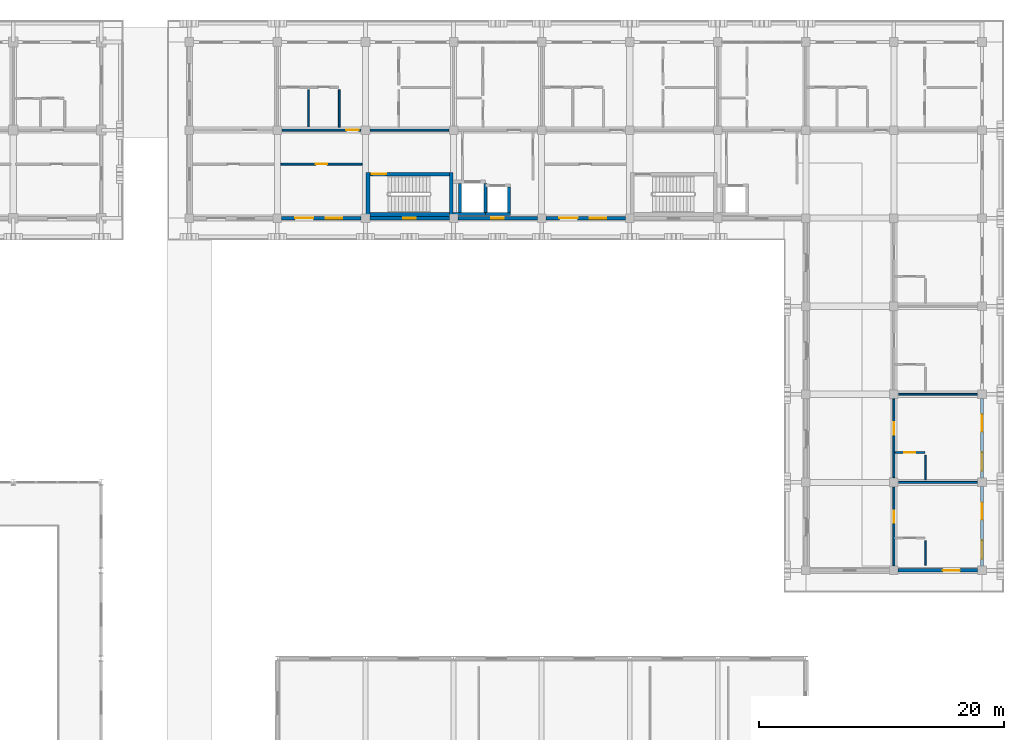
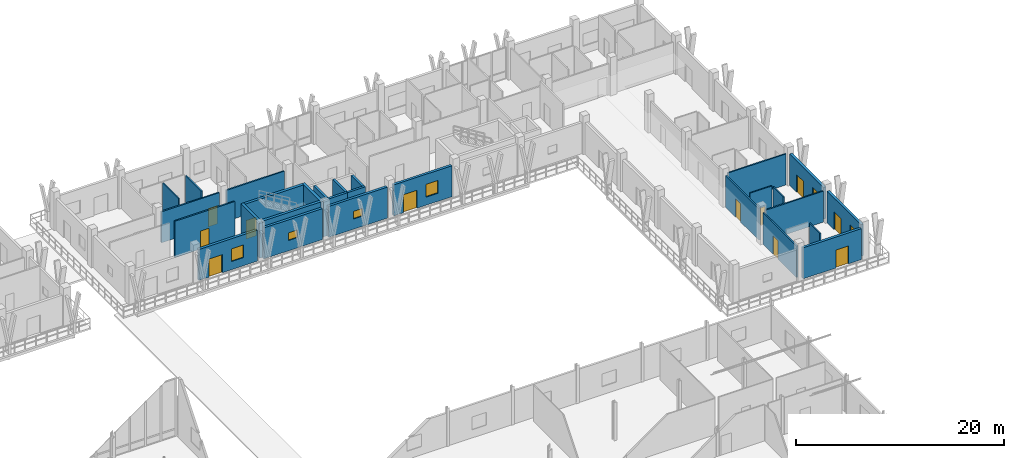
# One storey, part 87 of 110: 28 walls, 11 doors, 6 windows, 17 openings.
"""IFC4 building model written with IfcOpenShell, lengths in metres."""

from ifc_helpers import new_model, si_unit, direction, frame, frame_2d, origin, place, context, subcontext, project, spatial, rectangle, extrude, material, layer, layer_set, type_object, element, fill, save


model = new_model("IFC4")

# Units and contexts
model_context = context("Model", 3, precision=1e-05, world=origin(), true_north=direction((0.0, 1.0)))
body_context = subcontext(model_context, "Body", "Model", "MODEL_VIEW")
ifc_project = project(units=[si_unit("LENGTHUNIT", "METRE"), si_unit("AREAUNIT", "SQUARE_METRE"), si_unit("VOLUMEUNIT", "CUBIC_METRE"), si_unit("PLANEANGLEUNIT", "RADIAN"), si_unit("MASSUNIT", "GRAM", prefix="KILO")], contexts=[model_context])

# Site, building, storey
site_placement = place(None, origin())
site = spatial("IfcSite", under=ifc_project, at=site_placement, CompositionType="ELEMENT")
building_placement = place(site_placement, origin())
building = spatial("IfcBuilding", under=site, at=building_placement, Name="Suanplinth Sawtooth Commons", CompositionType="ELEMENT")
storey_placement = place(building_placement, frame((0.0, 0.0, 4.5)))
storey = spatial("IfcBuildingStorey", under=building, at=storey_placement, Name="L01", CompositionType="ELEMENT", Elevation=4.5)

# Wall
ifc_material_1 = material(Name="Concrete C40/50", Category="concrete")
ifc_layer_1 = layer(ifc_material_1, 0.300048828125, Name="Standard RC stair and lift core wall 300mm")
ifc_layer_set_1 = layer_set([ifc_layer_1], Name="Concrete C40/50")
wall_type_1 = type_object("IfcWallType", Name="W-CR02", PredefinedType="SHEAR", material=ifc_layer_set_1)
wall_1_placement = place(storey_placement, frame((137.14990234375, 108.300048828125, 0.0), z_axis=(0.0, 0.0, 1.0), x_axis=(1.0, 0.0, 0.0)))
element("IfcWall", 1, at=wall_1_placement, inside=storey, type_object=wall_type_1, Name="W-L01-C-B1-STS", PredefinedType="SHEAR", context=body_context, shape_type="SweptSolid", body=[
    extrude(rectangle(XDim=6.5, YDim=0.300048828125, at=frame_2d((3.25, 0.0))), origin(), (0.0, 0.0, 1.0), 4.25),
])

# Wall, opening, door
wall_2_placement = place(storey_placement, frame((137.14990234375, 111.60009765625, 0.0), z_axis=(0.0, 0.0, 1.0), x_axis=(1.0, 0.0, 0.0)))
wall_2 = element("IfcWall", 2, at=wall_2_placement, inside=storey, type_object=wall_type_1, Name="W-L01-C-B1-STN", PredefinedType="SHEAR", context=body_context, shape_type="SweptSolid", body=[
    extrude(rectangle(XDim=6.5, YDim=0.300048828125, at=frame_2d((3.25, 0.0))), origin(), (0.0, 0.0, 1.0), 4.25),
])
opening_1_placement = place(wall_2_placement, frame((0.179931640625, 0.0, 0.0)))
opening_1 = element("IfcOpeningElement", 3, at=opening_1_placement, cuts=wall_2, Name="Opening FD0164", PredefinedType="OPENING", context=body_context, shape_type="SweptSolid", body=[
    extrude(rectangle(XDim=1.14990234375, YDim=2.199951171875, at=frame_2d((0.574951171875, 1.10009765625))), frame((0.0, 0.1650390625, 0.0), z_axis=(0.0, -1.0, 0.0), x_axis=(1.0, 0.0, 0.0)), (0.0, 0.0, 1.0), 0.329833984375),
])
ifc_material_2 = material(Name="Teak hardwood fire-rated door assembly", Category="wood")
door_type_1 = type_object("IfcDoorType", Name="FD-01", OperationType="NOTDEFINED", PredefinedType="DOOR", material=ifc_material_2)
door_1_placement = place(opening_1_placement, frame((1.14990234375, 0.0, 0.0), z_axis=(0.0, 0.0, 1.0), x_axis=(-1.0, 0.0, 0.0)))
door_1 = element("IfcDoor", 4, at=door_1_placement, inside=storey, type_object=door_type_1, Name="Exit Stair Fire Door FD0164", OperationType="SINGLE_SWING_RIGHT", OverallHeight=2.199951171875, OverallWidth=1.14990234375, PredefinedType="DOOR", context=body_context, shape_type="SweptSolid", body=[
    extrude(rectangle(XDim=1.14990234375, YDim=2.199951171875, at=frame_2d((0.574951171875, 1.10009765625))), frame((0.0, 0.02490234375, 0.0), z_axis=(0.0, -1.0, 0.0), x_axis=(1.0, 0.0, 0.0)), (0.0, 0.0, 1.0), 0.050048828125),
])
fill(opening_1, door_1)

# Walls
for number, where, z_axis, x_axis, name in (
    (5, (137.0, 108.14990234375, 0.0), (0.0, 0.0, 1.0), (0.0, 1.0, 0.0), "W-L01-C-B1-STW"),
    (6, (143.800048828125, 108.14990234375, 0.0), (0.0, 0.0, 1.0), (0.0, 1.0, 0.0), "W-L01-C-B1-STE"),
):
    element("IfcWall", number, at=place(storey_placement, frame(where, z_axis=z_axis, x_axis=x_axis)), inside=storey, type_object=wall_type_1, Name=name, PredefinedType="SHEAR", context=body_context, shape_type="SweptSolid", body=[
        extrude(rectangle(XDim=3.60009765625, YDim=0.300048828125, at=frame_2d((1.800048828125, 0.0))), origin(), (0.0, 0.0, 1.0), 4.25),
    ])

# Wall, openings, door, window
ifc_material_3 = material(Name="Precast concrete C40/50", Category="concrete")
ifc_layer_2 = layer(ifc_material_3, 0.280029296875, Name="Insulated precast architectural facade wall 280mm")
ifc_layer_set_2 = layer_set([ifc_layer_2], Name="Precast concrete C40/50")
wall_type_2 = type_object("IfcWallType", Name="W-EX01", PredefinedType="ELEMENTEDWALL", material=ifc_layer_set_2)
wall_3_placement = place(storey_placement, frame((129.949951171875, 108.0, 0.0), z_axis=(0.0, 0.0, 1.0), x_axis=(1.0, 0.0, 0.0)))
wall_3 = element("IfcWall", 7, at=wall_3_placement, inside=storey, type_object=wall_type_2, Name="Facade Wall W-L01-B-S-18-15", PredefinedType="ELEMENTEDWALL", context=body_context, shape_type="SweptSolid", body=[
    extrude(rectangle(XDim=6.5, YDim=0.280029296875, at=frame_2d((3.25, 0.0))), origin(), (0.0, 0.0, 1.0), 3.635009765625),
])
opening_2_placement = place(wall_3_placement, frame((1.10009765625, 0.0, 0.0)))
opening_2 = element("IfcOpeningElement", 8, at=opening_2_placement, cuts=wall_3, Name="Opening ED0068", PredefinedType="OPENING", context=body_context, shape_type="SweptSolid", body=[
    extrude(rectangle(XDim=1.5, YDim=2.1201171875, at=frame_2d((0.75, 1.06005859375))), frame((0.0, 0.15478515625, 0.0), z_axis=(0.0, -1.0, 0.0), x_axis=(1.0, 0.0, 0.0)), (0.0, 0.0, 1.0), 0.309814453125),
])
opening_3_placement = place(wall_3_placement, frame((3.60009765625, 0.0, 0.949951171875)))
opening_3 = element("IfcOpeningElement", 9, at=opening_3_placement, cuts=wall_3, Name="Opening W0190", PredefinedType="OPENING", context=body_context, shape_type="SweptSolid", body=[
    extrude(rectangle(XDim=1.35009765625, YDim=1.5, at=frame_2d((0.675048828125, 0.75))), frame((0.0, 0.15478515625, 0.0), z_axis=(0.0, -1.0, 0.0), x_axis=(1.0, 0.0, 0.0)), (0.0, 0.0, 1.0), 0.309814453125),
])
ifc_material_4 = material(Name="Anodized aluminium and low-E glass", Category="aluminium")
door_type_2 = type_object("IfcDoorType", Name="SD-03", OperationType="SLIDING_TO_LEFT", PredefinedType="DOOR", material=ifc_material_4)
door_2_placement = place(opening_2_placement, frame((1.5, 0.0, 0.0), z_axis=(0.0, 0.0, 1.0), x_axis=(-1.0, 0.0, 0.0)))
door_2 = element("IfcDoor", 10, at=door_2_placement, inside=storey, type_object=door_type_2, Name="Courtyard Balcony Door L01-B-18", OperationType="SLIDING_TO_LEFT", OverallHeight=2.1201171875, OverallWidth=1.5, PredefinedType="DOOR", context=body_context, shape_type="SweptSolid", body=[
    extrude(rectangle(XDim=1.5, YDim=2.1201171875, at=frame_2d((0.75, 1.06005859375))), frame((0.0, 0.02490234375, 0.0), z_axis=(0.0, -1.0, 0.0), x_axis=(1.0, 0.0, 0.0)), (0.0, 0.0, 1.0), 0.050048828125),
])
fill(opening_2, door_2)
ifc_material_5 = material(Name="Thermally broken aluminium and low-E double glazing", Category="aluminium")
window_type_1 = type_object("IfcWindowType", Name="WN-14", PartitioningType="SINGLE_PANEL", PredefinedType="WINDOW", material=ifc_material_5)
window_1_placement = place(opening_3_placement, origin())
window_1 = element("IfcWindow", 11, at=window_1_placement, inside=storey, type_object=window_type_1, Name="Courtyard Window L01-B-18", OverallHeight=1.5, OverallWidth=1.35009765625, PartitioningType="SINGLE_PANEL", PredefinedType="WINDOW", context=body_context, shape_type="SweptSolid", body=[
    extrude(rectangle(XDim=1.35009765625, YDim=1.5, at=frame_2d((0.675048828125, 0.75))), frame((0.0, 0.030029296875, 0.0), z_axis=(0.0, -1.0, 0.0), x_axis=(1.0, 0.0, 0.0)), (0.0, 0.0, 1.0), 0.06005859375),
])
fill(opening_3, window_1)

# Wall, opening, window
wall_4_placement = place(storey_placement, frame((137.14990234375, 108.0, 0.0), z_axis=(0.0, 0.0, 1.0), x_axis=(1.0, 0.0, 0.0)))
wall_4 = element("IfcWall", 12, at=wall_4_placement, inside=storey, type_object=wall_type_2, Name="Facade Wall W-L01-B-S-19-15", PredefinedType="ELEMENTEDWALL", context=body_context, shape_type="SweptSolid", body=[
    extrude(rectangle(XDim=6.5, YDim=0.280029296875, at=frame_2d((3.25, 0.0))), origin(), (0.0, 0.0, 1.0), 3.635009765625),
])
opening_4_placement = place(wall_4_placement, frame((2.75, 0.0, 1.199951171875)))
opening_4 = element("IfcOpeningElement", 13, at=opening_4_placement, cuts=wall_4, Name="Opening W0192", PredefinedType="OPENING", context=body_context, shape_type="SweptSolid", body=[
    extrude(rectangle(XDim=1.0, YDim=0.89990234375, at=frame_2d((0.5, 0.449951171875))), frame((0.0, 0.15478515625, 0.0), z_axis=(0.0, -1.0, 0.0), x_axis=(1.0, 0.0, 0.0)), (0.0, 0.0, 1.0), 0.309814453125),
])
window_type_2 = type_object("IfcWindowType", Name="WN-12", PartitioningType="SINGLE_PANEL", PredefinedType="WINDOW", material=ifc_material_5)
window_2_placement = place(opening_4_placement, origin())
window_2 = element("IfcWindow", 14, at=window_2_placement, inside=storey, type_object=window_type_2, Name="Core Daylight Window L01-B-19-15", OverallHeight=0.89990234375, OverallWidth=1.0, PartitioningType="SINGLE_PANEL", PredefinedType="WINDOW", context=body_context, shape_type="SweptSolid", body=[
    extrude(rectangle(XDim=1.0, YDim=0.89990234375, at=frame_2d((0.5, 0.449951171875))), frame((0.0, 0.030029296875, 0.0), z_axis=(0.0, -1.0, 0.0), x_axis=(1.0, 0.0, 0.0)), (0.0, 0.0, 1.0), 0.06005859375),
])
fill(opening_4, window_2)

wall_5_placement = place(storey_placement, frame((144.35009765625, 108.0, 0.0), z_axis=(0.0, 0.0, 1.0), x_axis=(1.0, 0.0, 0.0)))
wall_5 = element("IfcWall", 15, at=wall_5_placement, inside=storey, type_object=wall_type_2, Name="Facade Wall W-L01-B-S-20-15", PredefinedType="ELEMENTEDWALL", context=body_context, shape_type="SweptSolid", body=[
    extrude(rectangle(XDim=6.5, YDim=0.280029296875, at=frame_2d((3.25, 0.0))), origin(), (0.0, 0.0, 1.0), 3.635009765625),
])
opening_5_placement = place(wall_5_placement, frame((2.75, 0.0, 1.199951171875)))
opening_5 = element("IfcOpeningElement", 16, at=opening_5_placement, cuts=wall_5, Name="Opening W0194", PredefinedType="OPENING", context=body_context, shape_type="SweptSolid", body=[
    extrude(rectangle(XDim=1.0, YDim=0.89990234375, at=frame_2d((0.5, 0.449951171875))), frame((0.0, 0.15478515625, 0.0), z_axis=(0.0, -1.0, 0.0), x_axis=(1.0, 0.0, 0.0)), (0.0, 0.0, 1.0), 0.309814453125),
])
window_3_placement = place(opening_5_placement, origin())
window_3 = element("IfcWindow", 17, at=window_3_placement, inside=storey, type_object=window_type_2, Name="Core Daylight Window L01-B-20-15", OverallHeight=0.89990234375, OverallWidth=1.0, PartitioningType="SINGLE_PANEL", PredefinedType="WINDOW", context=body_context, shape_type="SweptSolid", body=[
    extrude(rectangle(XDim=1.0, YDim=0.89990234375, at=frame_2d((0.5, 0.449951171875))), frame((0.0, 0.030029296875, 0.0), z_axis=(0.0, -1.0, 0.0), x_axis=(1.0, 0.0, 0.0)), (0.0, 0.0, 1.0), 0.06005859375),
])
fill(opening_5, window_3)

# Wall, openings, door, window
wall_6_placement = place(storey_placement, frame((151.550048828125, 108.0, 0.0), z_axis=(0.0, 0.0, 1.0), x_axis=(1.0, 0.0, 0.0)))
wall_6 = element("IfcWall", 18, at=wall_6_placement, inside=storey, type_object=wall_type_2, Name="Facade Wall W-L01-B-S-21-15", PredefinedType="ELEMENTEDWALL", context=body_context, shape_type="SweptSolid", body=[
    extrude(rectangle(XDim=6.5, YDim=0.280029296875, at=frame_2d((3.25, 0.0))), origin(), (0.0, 0.0, 1.0), 3.635009765625),
])
opening_6_placement = place(wall_6_placement, frame((1.10009765625, 0.0, 0.0)))
opening_6 = element("IfcOpeningElement", 19, at=opening_6_placement, cuts=wall_6, Name="Opening ED0071", PredefinedType="OPENING", context=body_context, shape_type="SweptSolid", body=[
    extrude(rectangle(XDim=1.5, YDim=2.1201171875, at=frame_2d((0.75, 1.06005859375))), frame((0.0, 0.15478515625, 0.0), z_axis=(0.0, -1.0, 0.0), x_axis=(1.0, 0.0, 0.0)), (0.0, 0.0, 1.0), 0.309814453125),
])
opening_7_placement = place(wall_6_placement, frame((3.60009765625, 0.0, 0.949951171875)))
opening_7 = element("IfcOpeningElement", 20, at=opening_7_placement, cuts=wall_6, Name="Opening W0195", PredefinedType="OPENING", context=body_context, shape_type="SweptSolid", body=[
    extrude(rectangle(XDim=1.35009765625, YDim=1.5, at=frame_2d((0.675048828125, 0.75))), frame((0.0, 0.15478515625, 0.0), z_axis=(0.0, -1.0, 0.0), x_axis=(1.0, 0.0, 0.0)), (0.0, 0.0, 1.0), 0.309814453125),
])
door_3_placement = place(opening_6_placement, frame((1.5, 0.0, 0.0), z_axis=(0.0, 0.0, 1.0), x_axis=(-1.0, 0.0, 0.0)))
door_3 = element("IfcDoor", 21, at=door_3_placement, inside=storey, type_object=door_type_2, Name="Courtyard Balcony Door L01-B-21", OperationType="SLIDING_TO_LEFT", OverallHeight=2.1201171875, OverallWidth=1.5, PredefinedType="DOOR", context=body_context, shape_type="SweptSolid", body=[
    extrude(rectangle(XDim=1.5, YDim=2.1201171875, at=frame_2d((0.75, 1.06005859375))), frame((0.0, 0.02490234375, 0.0), z_axis=(0.0, -1.0, 0.0), x_axis=(1.0, 0.0, 0.0)), (0.0, 0.0, 1.0), 0.050048828125),
])
fill(opening_6, door_3)
window_4_placement = place(opening_7_placement, origin())
window_4 = element("IfcWindow", 22, at=window_4_placement, inside=storey, type_object=window_type_1, Name="Courtyard Window L01-B-21", OverallHeight=1.5, OverallWidth=1.35009765625, PartitioningType="SINGLE_PANEL", PredefinedType="WINDOW", context=body_context, shape_type="SweptSolid", body=[
    extrude(rectangle(XDim=1.35009765625, YDim=1.5, at=frame_2d((0.675048828125, 0.75))), frame((0.0, 0.030029296875, 0.0), z_axis=(0.0, -1.0, 0.0), x_axis=(1.0, 0.0, 0.0)), (0.0, 0.0, 1.0), 0.06005859375),
])
fill(opening_7, window_4)

# Wall, opening, door
wall_7_placement = place(storey_placement, frame((180.35009765625, 79.199951171875, 0.0), z_axis=(0.0, 0.0, 1.0), x_axis=(1.0, 0.0, 0.0)))
wall_7 = element("IfcWall", 23, at=wall_7_placement, inside=storey, type_object=wall_type_2, Name="Facade Wall W-L01-B-S-25-11", PredefinedType="ELEMENTEDWALL", context=body_context, shape_type="SweptSolid", body=[
    extrude(rectangle(XDim=6.5, YDim=0.280029296875, at=frame_2d((3.25, 0.0))), origin(), (0.0, 0.0, 1.0), 3.635009765625),
])
opening_8_placement = place(wall_7_placement, frame((3.64990234375, 0.0, 0.0)))
opening_8 = element("IfcOpeningElement", 24, at=opening_8_placement, cuts=wall_7, Name="Opening ED0079", PredefinedType="OPENING", context=body_context, shape_type="SweptSolid", body=[
    extrude(rectangle(XDim=1.39990234375, YDim=2.10009765625, at=frame_2d((0.699951171875, 1.050048828125))), frame((0.0, 0.15478515625, 0.0), z_axis=(0.0, -1.0, 0.0), x_axis=(1.0, 0.0, 0.0)), (0.0, 0.0, 1.0), 0.309814453125),
])
door_type_3 = type_object("IfcDoorType", Name="SD-07", OperationType="SLIDING_TO_RIGHT", PredefinedType="DOOR", material=ifc_material_4)
door_4_placement = place(opening_8_placement, frame((1.39990234375, 0.0, 0.0), z_axis=(0.0, 0.0, 1.0), x_axis=(-1.0, 0.0, 0.0)))
door_4 = element("IfcDoor", 25, at=door_4_placement, inside=storey, type_object=door_type_3, Name="End Balcony Sliding Door L01-B-S-25-11", OperationType="SLIDING_TO_RIGHT", OverallHeight=2.10009765625, OverallWidth=1.39990234375, PredefinedType="DOOR", context=body_context, shape_type="SweptSolid", body=[
    extrude(rectangle(XDim=1.39990234375, YDim=2.10009765625, at=frame_2d((0.699951171875, 1.050048828125))), frame((0.0, 0.02490234375, 0.0), z_axis=(0.0, -1.0, 0.0), x_axis=(1.0, 0.0, 0.0)), (0.0, 0.0, 1.0), 0.050048828125),
])
fill(opening_8, door_4)

# Wall, openings, door, window
wall_8_placement = place(storey_placement, frame((187.199951171875, 79.550048828125, 0.0), z_axis=(0.0, 0.0, 1.0), x_axis=(0.0, 1.0, 0.0)))
wall_8 = element("IfcWall", 26, at=wall_8_placement, inside=storey, type_object=wall_type_2, Name="Facade Wall W-L01-B-E-25-11", PredefinedType="ELEMENTEDWALL", context=body_context, shape_type="SweptSolid", body=[
    extrude(rectangle(XDim=6.5, YDim=0.280029296875, at=frame_2d((3.25, 0.0))), origin(), (0.0, 0.0, 1.0), 3.715087890625),
])
opening_9_placement = place(wall_8_placement, frame((3.800048828125, 0.0, 0.0)))
opening_9 = element("IfcOpeningElement", 27, at=opening_9_placement, cuts=wall_8, Name="Opening ED0080", PredefinedType="OPENING", context=body_context, shape_type="SweptSolid", body=[
    extrude(rectangle(XDim=1.39990234375, YDim=2.10009765625, at=frame_2d((0.699951171875, 1.050048828125))), frame((0.0, 0.15478515625, 0.0), z_axis=(0.0, -1.0, 0.0), x_axis=(1.0, 0.0, 0.0)), (0.0, 0.0, 1.0), 0.309814453125),
])
opening_10_placement = place(wall_8_placement, frame((0.60009765625, 0.0, 0.949951171875)))
opening_10 = element("IfcOpeningElement", 28, at=opening_10_placement, cuts=wall_8, Name="Opening W0202", PredefinedType="OPENING", context=body_context, shape_type="SweptSolid", body=[
    extrude(rectangle(XDim=1.5, YDim=1.5, at=frame_2d((0.75, 0.75))), frame((0.0, 0.15478515625, 0.0), z_axis=(0.0, -1.0, 0.0), x_axis=(1.0, 0.0, 0.0)), (0.0, 0.0, 1.0), 0.309814453125),
])
door_5_placement = place(opening_9_placement, frame((1.39990234375, 0.0, 0.0), z_axis=(0.0, 0.0, 1.0), x_axis=(-1.0, 0.0, 0.0)))
door_5 = element("IfcDoor", 29, at=door_5_placement, inside=storey, type_object=door_type_3, Name="Wing Balcony Sliding Door L01-B-11", OperationType="SLIDING_TO_RIGHT", OverallHeight=2.10009765625, OverallWidth=1.39990234375, PredefinedType="DOOR", context=body_context, shape_type="SweptSolid", body=[
    extrude(rectangle(XDim=1.39990234375, YDim=2.10009765625, at=frame_2d((0.699951171875, 1.050048828125))), frame((0.0, 0.02490234375, 0.0), z_axis=(0.0, -1.0, 0.0), x_axis=(1.0, 0.0, 0.0)), (0.0, 0.0, 1.0), 0.050048828125),
])
fill(opening_9, door_5)
window_type_3 = type_object("IfcWindowType", Name="WN-02", PartitioningType="DOUBLE_PANEL_VERTICAL", PredefinedType="WINDOW", material=ifc_material_5)
window_5_placement = place(opening_10_placement, origin())
window_5 = element("IfcWindow", 30, at=window_5_placement, inside=storey, type_object=window_type_3, Name="Wing Window L01-B-11", OverallHeight=1.5, OverallWidth=1.5, PartitioningType="DOUBLE_PANEL_VERTICAL", PredefinedType="WINDOW", context=body_context, shape_type="SweptSolid", body=[
    extrude(rectangle(XDim=1.5, YDim=1.5, at=frame_2d((0.75, 0.75))), frame((0.0, 0.030029296875, 0.0), z_axis=(0.0, -1.0, 0.0), x_axis=(1.0, 0.0, 0.0)), (0.0, 0.0, 1.0), 0.06005859375),
])
fill(opening_10, window_5)

wall_9_placement = place(storey_placement, frame((187.199951171875, 86.75, 0.0), z_axis=(0.0, 0.0, 1.0), x_axis=(0.0, 1.0, 0.0)))
wall_9 = element("IfcWall", 31, at=wall_9_placement, inside=storey, type_object=wall_type_2, Name="Facade Wall W-L01-B-E-25-12", PredefinedType="ELEMENTEDWALL", context=body_context, shape_type="SweptSolid", body=[
    extrude(rectangle(XDim=6.5, YDim=0.280029296875, at=frame_2d((3.25, 0.0))), origin(), (0.0, 0.0, 1.0), 3.715087890625),
])
opening_11_placement = place(wall_9_placement, frame((3.800048828125, 0.0, 0.0)))
opening_11 = element("IfcOpeningElement", 32, at=opening_11_placement, cuts=wall_9, Name="Opening ED0081", PredefinedType="OPENING", context=body_context, shape_type="SweptSolid", body=[
    extrude(rectangle(XDim=1.39990234375, YDim=2.10009765625, at=frame_2d((0.699951171875, 1.050048828125))), frame((0.0, 0.15478515625, 0.0), z_axis=(0.0, -1.0, 0.0), x_axis=(1.0, 0.0, 0.0)), (0.0, 0.0, 1.0), 0.309814453125),
])
opening_12_placement = place(wall_9_placement, frame((0.60009765625, 0.0, 0.949951171875)))
opening_12 = element("IfcOpeningElement", 33, at=opening_12_placement, cuts=wall_9, Name="Opening W0203", PredefinedType="OPENING", context=body_context, shape_type="SweptSolid", body=[
    extrude(rectangle(XDim=1.5, YDim=1.5, at=frame_2d((0.75, 0.75))), frame((0.0, 0.15478515625, 0.0), z_axis=(0.0, -1.0, 0.0), x_axis=(1.0, 0.0, 0.0)), (0.0, 0.0, 1.0), 0.309814453125),
])
door_6_placement = place(opening_11_placement, frame((1.39990234375, 0.0, 0.0), z_axis=(0.0, 0.0, 1.0), x_axis=(-1.0, 0.0, 0.0)))
door_6 = element("IfcDoor", 34, at=door_6_placement, inside=storey, type_object=door_type_3, Name="Wing Balcony Sliding Door L01-B-12", OperationType="SLIDING_TO_RIGHT", OverallHeight=2.10009765625, OverallWidth=1.39990234375, PredefinedType="DOOR", context=body_context, shape_type="SweptSolid", body=[
    extrude(rectangle(XDim=1.39990234375, YDim=2.10009765625, at=frame_2d((0.699951171875, 1.050048828125))), frame((0.0, 0.02490234375, 0.0), z_axis=(0.0, -1.0, 0.0), x_axis=(1.0, 0.0, 0.0)), (0.0, 0.0, 1.0), 0.050048828125),
])
fill(opening_11, door_6)
window_6_placement = place(opening_12_placement, origin())
window_6 = element("IfcWindow", 35, at=window_6_placement, inside=storey, type_object=window_type_3, Name="Wing Window L01-B-12", OverallHeight=1.5, OverallWidth=1.5, PartitioningType="DOUBLE_PANEL_VERTICAL", PredefinedType="WINDOW", context=body_context, shape_type="SweptSolid", body=[
    extrude(rectangle(XDim=1.5, YDim=1.5, at=frame_2d((0.75, 0.75))), frame((0.0, 0.030029296875, 0.0), z_axis=(0.0, -1.0, 0.0), x_axis=(1.0, 0.0, 0.0)), (0.0, 0.0, 1.0), 0.06005859375),
])
fill(opening_12, window_6)

# Wall, opening, door
ifc_layer_3 = layer(ifc_material_3, 0.159912109375, Name="Fire-rated corridor and lobby wall 160mm")
ifc_layer_set_3 = layer_set([ifc_layer_3], Name="Precast concrete C40/50")
wall_type_3 = type_object("IfcWallType", Name="W-FW01", PredefinedType="PARTITIONING", material=ifc_layer_set_3)
wall_10_placement = place(storey_placement, frame((129.97998046875, 115.199951171875, 0.0), z_axis=(0.0, 0.0, 1.0), x_axis=(1.0, 0.0, 0.0)))
wall_10 = element("IfcWall", 36, at=wall_10_placement, inside=storey, type_object=wall_type_3, Name="W-B-L01-U02-COR-S1", PredefinedType="PARTITIONING", context=body_context, shape_type="SweptSolid", body=[
    extrude(rectangle(XDim=6.43994140625, YDim=0.159912109375, at=frame_2d((3.219970703125, 0.0))), origin(), (0.0, 0.0, 1.0), 3.635009765625),
])
opening_13_placement = place(wall_10_placement, frame((5.25, 0.0, 0.0)))
opening_13 = element("IfcOpeningElement", 37, at=opening_13_placement, cuts=wall_10, Name="Opening FD0580", PredefinedType="OPENING", context=body_context, shape_type="SweptSolid", body=[
    extrude(rectangle(XDim=1.0, YDim=2.14990234375, at=frame_2d((0.5, 1.074951171875))), frame((0.0, 0.0947265625, 0.0), z_axis=(0.0, -1.0, 0.0), x_axis=(1.0, 0.0, 0.0)), (0.0, 0.0, 1.0), 0.189697265625),
])
door_type_4 = type_object("IfcDoorType", Name="FD-03", OperationType="NOTDEFINED", PredefinedType="DOOR", material=ifc_material_2)
door_7_placement = place(opening_13_placement, origin())
door_7 = element("IfcDoor", 38, at=door_7_placement, inside=storey, type_object=door_type_4, Name="Unit Entrance Door FD0580", OperationType="SINGLE_SWING_RIGHT", OverallHeight=2.14990234375, OverallWidth=1.0, PredefinedType="DOOR", context=body_context, shape_type="SweptSolid", body=[
    extrude(rectangle(XDim=1.0, YDim=2.14990234375, at=frame_2d((0.5, 1.074951171875))), frame((0.0, 0.02490234375, 0.0), z_axis=(0.0, -1.0, 0.0), x_axis=(1.0, 0.0, 0.0)), (0.0, 0.0, 1.0), 0.050048828125),
])
fill(opening_13, door_7)

# Wall
wall_11_placement = place(storey_placement, frame((137.179931640625, 115.199951171875, 0.0), z_axis=(0.0, 0.0, 1.0), x_axis=(1.0, 0.0, 0.0)))
element("IfcWall", 39, at=wall_11_placement, inside=storey, type_object=wall_type_3, Name="W-B-L01-U02-COR-S2", PredefinedType="PARTITIONING", context=body_context, shape_type="SweptSolid", body=[
    extrude(rectangle(XDim=6.440185546875, YDim=0.159912109375, at=frame_2d((3.22021484375, 0.0))), origin(), (0.0, 0.0, 1.0), 3.635009765625),
])

# Wall, opening, door
wall_12_placement = place(storey_placement, frame((129.8798828125, 112.419921875, 0.0), z_axis=(0.0, 0.0, 1.0), x_axis=(1.0, 0.0, 0.0)))
wall_12 = element("IfcWall", 40, at=wall_12_placement, inside=storey, type_object=wall_type_3, Name="W-B-L01-COURTROOM-32-COR", PredefinedType="PARTITIONING", context=body_context, shape_type="SweptSolid", body=[
    extrude(rectangle(XDim=6.64013671875, YDim=0.159912109375, at=frame_2d((3.320068359375, 0.0))), origin(), (0.0, 0.0, 1.0), 4.25),
])
opening_14_placement = place(wall_12_placement, frame((2.85009765625, 0.0, 0.0)))
opening_14 = element("IfcOpeningElement", 41, at=opening_14_placement, cuts=wall_12, Name="Opening D0602", PredefinedType="OPENING", context=body_context, shape_type="SweptSolid", body=[
    extrude(rectangle(XDim=0.93994140625, YDim=2.1201171875, at=frame_2d((0.469970703125, 1.06005859375))), frame((0.0, 0.0947265625, 0.0), z_axis=(0.0, -1.0, 0.0), x_axis=(1.0, 0.0, 0.0)), (0.0, 0.0, 1.0), 0.189697265625),
])
ifc_material_6 = material(Name="Teak hardwood", Category="wood")
door_type_5 = type_object("IfcDoorType", Name="D-15", OperationType="NOTDEFINED", PredefinedType="DOOR", material=ifc_material_6)
door_8_placement = place(opening_14_placement, frame((0.93994140625, 0.0, 0.0), z_axis=(0.0, 0.0, 1.0), x_axis=(-1.0, 0.0, 0.0)))
door_8 = element("IfcDoor", 42, at=door_8_placement, inside=storey, type_object=door_type_5, Name="Study Studio Door D0602", OperationType="SINGLE_SWING_RIGHT", OverallHeight=2.1201171875, OverallWidth=0.93994140625, PredefinedType="DOOR", context=body_context, shape_type="SweptSolid", body=[
    extrude(rectangle(XDim=0.93994140625, YDim=2.1201171875, at=frame_2d((0.469970703125, 1.06005859375))), frame((0.0, 0.02490234375, 0.0), z_axis=(0.0, -1.0, 0.0), x_axis=(1.0, 0.0, 0.0)), (0.0, 0.0, 1.0), 0.050048828125),
])
fill(opening_14, door_8)

wall_13_placement = place(storey_placement, frame((180.0, 79.580078125, 0.0), z_axis=(0.0, 0.0, 1.0), x_axis=(0.0, 1.0, 0.0)))
wall_13 = element("IfcWall", 43, at=wall_13_placement, inside=storey, type_object=wall_type_3, Name="W-B-L01-L01-COR", PredefinedType="PARTITIONING", context=body_context, shape_type="SweptSolid", body=[
    extrude(rectangle(XDim=6.43994140625, YDim=0.159912109375, at=frame_2d((3.219970703125, 0.0))), origin(), (0.0, 0.0, 1.0), 3.68505859375),
])
opening_15_placement = place(wall_13_placement, frame((3.52001953125, 0.0, 0.0)))
opening_15 = element("IfcOpeningElement", 44, at=opening_15_placement, cuts=wall_13, Name="Opening FD0604", PredefinedType="OPENING", context=body_context, shape_type="SweptSolid", body=[
    extrude(rectangle(XDim=1.0, YDim=2.14990234375, at=frame_2d((0.5, 1.074951171875))), frame((0.0, 0.0947265625, 0.0), z_axis=(0.0, -1.0, 0.0), x_axis=(1.0, 0.0, 0.0)), (0.0, 0.0, 1.0), 0.189697265625),
])
door_9_placement = place(opening_15_placement, frame((1.0, 0.0, 0.0), z_axis=(0.0, 0.0, 1.0), x_axis=(-1.0, 0.0, 0.0)))
door_9 = element("IfcDoor", 45, at=door_9_placement, inside=storey, type_object=door_type_4, Name="Wing Unit Entrance Door FD0604", OperationType="SINGLE_SWING_RIGHT", OverallHeight=2.14990234375, OverallWidth=1.0, PredefinedType="DOOR", context=body_context, shape_type="SweptSolid", body=[
    extrude(rectangle(XDim=1.0, YDim=2.14990234375, at=frame_2d((0.5, 1.074951171875))), frame((0.0, 0.02490234375, 0.0), z_axis=(0.0, -1.0, 0.0), x_axis=(1.0, 0.0, 0.0)), (0.0, 0.0, 1.0), 0.050048828125),
])
fill(opening_15, door_9)

wall_14_placement = place(storey_placement, frame((180.0, 86.780029296875, 0.0), z_axis=(0.0, 0.0, 1.0), x_axis=(0.0, 1.0, 0.0)))
wall_14 = element("IfcWall", 46, at=wall_14_placement, inside=storey, type_object=wall_type_3, Name="W-B-L01-L02-COR", PredefinedType="PARTITIONING", context=body_context, shape_type="SweptSolid", body=[
    extrude(rectangle(XDim=6.43994140625, YDim=0.159912109375, at=frame_2d((3.219970703125, 0.0))), origin(), (0.0, 0.0, 1.0), 3.68505859375),
])
opening_16_placement = place(wall_14_placement, frame((3.52001953125, 0.0, 0.0)))
opening_16 = element("IfcOpeningElement", 47, at=opening_16_placement, cuts=wall_14, Name="Opening FD0607", PredefinedType="OPENING", context=body_context, shape_type="SweptSolid", body=[
    extrude(rectangle(XDim=1.0, YDim=2.14990234375, at=frame_2d((0.5, 1.074951171875))), frame((0.0, 0.0947265625, 0.0), z_axis=(0.0, -1.0, 0.0), x_axis=(1.0, 0.0, 0.0)), (0.0, 0.0, 1.0), 0.189697265625),
])
door_10_placement = place(opening_16_placement, frame((1.0, 0.0, 0.0), z_axis=(0.0, 0.0, 1.0), x_axis=(-1.0, 0.0, 0.0)))
door_10 = element("IfcDoor", 48, at=door_10_placement, inside=storey, type_object=door_type_4, Name="Wing Unit Entrance Door FD0607", OperationType="SINGLE_SWING_LEFT", OverallHeight=2.14990234375, OverallWidth=1.0, PredefinedType="DOOR", context=body_context, shape_type="SweptSolid", body=[
    extrude(rectangle(XDim=1.0, YDim=2.14990234375, at=frame_2d((0.5, 1.074951171875))), frame((0.0, 0.02490234375, 0.0), z_axis=(0.0, -1.0, 0.0), x_axis=(1.0, 0.0, 0.0)), (0.0, 0.0, 1.0), 0.050048828125),
])
fill(opening_16, door_10)

# Walls
ifc_layer_4 = layer(ifc_material_3, 0.14990234375, Name="Acoustic precast party demising wall 150mm")
ifc_layer_set_4 = layer_set([ifc_layer_4], Name="Precast concrete C40/50")
wall_type_4 = type_object("IfcWallType", Name="W-FW02", PredefinedType="PARTITIONING", material=ifc_layer_set_4)
for number, where, z_axis, x_axis, name in (
    (49, (180.3798828125, 86.39990234375, 0.0), (0.0, 0.0, 1.0), (1.0, 0.0, 0.0), "W-B-L01-L01-PTY"),
    (50, (180.3798828125, 93.60009765625, 0.0), (0.0, 0.0, 1.0), (1.0, 0.0, 0.0), "W-B-L01-L02-PTY"),
):
    element("IfcWall", number, at=place(storey_placement, frame(where, z_axis=z_axis, x_axis=x_axis)), inside=storey, type_object=wall_type_4, Name=name, PredefinedType="PARTITIONING", context=body_context, shape_type="SweptSolid", body=[
        extrude(rectangle(XDim=6.440185546875, YDim=0.14990234375, at=frame_2d((3.22021484375, 0.0))), origin(), (0.0, 0.0, 1.0), 3.635009765625),
    ])
ifc_material_7 = material(Name="Gypsum plasterboard on steel stud", Category="steel")
ifc_layer_5 = layer(ifc_material_7, 0.139892578125, Name="Fire-rated kitchen partition 140mm")
ifc_layer_set_5 = layer_set([ifc_layer_5], Name="Gypsum plasterboard on steel stud")
wall_type_5 = type_object("IfcWallType", Name="W-PT01", PredefinedType="PARTITIONING", material=ifc_layer_set_5)
wall_15_placement = place(storey_placement, frame((134.64990234375, 115.429931640625, 0.0), z_axis=(0.0, 0.0, 1.0), x_axis=(0.0, 1.0, 0.0)))
element("IfcWall", 51, at=wall_15_placement, inside=storey, type_object=wall_type_5, Name="W-B-L01-U02-KIT2", PredefinedType="PARTITIONING", context=body_context, shape_type="SweptSolid", body=[
    extrude(rectangle(XDim=3.06005859375, YDim=0.139892578125, at=frame_2d((1.530029296875, 0.0))), origin(), (0.0, 0.0, 1.0), 4.25),
])
ifc_layer_6 = layer(ifc_material_7, 0.1298828125, Name="Moisture-resistant bathroom partition 130mm")
ifc_layer_set_6 = layer_set([ifc_layer_6], Name="Gypsum plasterboard on steel stud")
wall_type_6 = type_object("IfcWallType", Name="W-PT02", PredefinedType="PARTITIONING", material=ifc_layer_set_6)
wall_16_placement = place(storey_placement, frame((132.14501953125, 115.4599609375, 0.0), z_axis=(0.0, 0.0, 1.0), x_axis=(0.0, 1.0, 0.0)))
element("IfcWall", 52, at=wall_16_placement, inside=storey, type_object=wall_type_6, Name="W-B-L01-U02-BTH2", PredefinedType="PARTITIONING", context=body_context, shape_type="SweptSolid", body=[
    extrude(rectangle(XDim=3.0400390625, YDim=0.1298828125, at=frame_2d((1.52001953125, 0.0))), origin(), (0.0, 0.0, 1.0), 4.25),
])
wall_17_placement = place(storey_placement, frame((182.594970703125, 79.6298828125, 0.0), z_axis=(0.0, 0.0, 1.0), x_axis=(0.0, 1.0, 0.0)))
element("IfcWall", 53, at=wall_17_placement, inside=storey, type_object=wall_type_6, Name="W-B-L01-L01-BTH2", PredefinedType="PARTITIONING", context=body_context, shape_type="SweptSolid", body=[
    extrude(rectangle(XDim=2.0, YDim=0.1298828125, at=frame_2d((1.0, 0.0))), origin(), (0.0, 0.0, 1.0), 4.25),
])

# Wall, opening, door
wall_18_placement = place(storey_placement, frame((180.080078125, 88.844970703125, 0.0), z_axis=(0.0, 0.0, 1.0), x_axis=(1.0, 0.0, 0.0)))
wall_18 = element("IfcWall", 54, at=wall_18_placement, inside=storey, type_object=wall_type_6, Name="W-B-L01-L02-BTH1", PredefinedType="PARTITIONING", context=body_context, shape_type="SweptSolid", body=[
    extrude(rectangle(XDim=2.449951171875, YDim=0.1298828125, at=frame_2d((1.22509765625, 0.0))), origin(), (0.0, 0.0, 1.0), 4.25),
])
opening_17_placement = place(wall_18_placement, frame((0.77490234375, 0.0, 0.0)))
opening_17 = element("IfcOpeningElement", 55, at=opening_17_placement, cuts=wall_18, Name="Opening D0608", PredefinedType="OPENING", context=body_context, shape_type="SweptSolid", body=[
    extrude(rectangle(XDim=0.89990234375, YDim=2.10009765625, at=frame_2d((0.449951171875, 1.050048828125))), frame((0.0, 0.079833984375, 0.0), z_axis=(0.0, -1.0, 0.0), x_axis=(1.0, 0.0, 0.0)), (0.0, 0.0, 1.0), 0.15966796875),
])
door_type_6 = type_object("IfcDoorType", Name="D-01", OperationType="NOTDEFINED", PredefinedType="DOOR", material=ifc_material_6)
door_11_placement = place(opening_17_placement, frame((0.89990234375, 0.0, 0.0), z_axis=(0.0, 0.0, 1.0), x_axis=(-1.0, 0.0, 0.0)))
door_11 = element("IfcDoor", 56, at=door_11_placement, inside=storey, type_object=door_type_6, Name="Bathroom Door D0608", OperationType="SINGLE_SWING_RIGHT", OverallHeight=2.10009765625, OverallWidth=0.89990234375, PredefinedType="DOOR", context=body_context, shape_type="SweptSolid", body=[
    extrude(rectangle(XDim=0.89990234375, YDim=2.10009765625, at=frame_2d((0.449951171875, 1.050048828125))), frame((0.0, 0.02490234375, 0.0), z_axis=(0.0, -1.0, 0.0), x_axis=(1.0, 0.0, 0.0)), (0.0, 0.0, 1.0), 0.050048828125),
])
fill(opening_17, door_11)

# Walls
wall_19_placement = place(storey_placement, frame((182.594970703125, 86.6298828125, 0.0), z_axis=(0.0, 0.0, 1.0), x_axis=(0.0, 1.0, 0.0)))
element("IfcWall", 57, at=wall_19_placement, inside=storey, type_object=wall_type_6, Name="W-B-L01-L02-BTH2", PredefinedType="PARTITIONING", context=body_context, shape_type="SweptSolid", body=[
    extrude(rectangle(XDim=2.0, YDim=0.1298828125, at=frame_2d((1.0, 0.0))), origin(), (0.0, 0.0, 1.0), 4.25),
])
ifc_layer_7 = layer(ifc_material_3, 0.25, Name="Precast structural shear wall 250mm")
ifc_layer_set_7 = layer_set([ifc_layer_7], Name="Precast concrete C40/50")
wall_type_7 = type_object("IfcWallType", Name="W-SH01", PredefinedType="SHEAR", material=ifc_layer_set_7)
wall_20_placement = place(storey_placement, frame((143.949951171875, 108.324951171875, 0.0), z_axis=(0.0, 0.0, 1.0), x_axis=(1.0, 0.0, 0.0)))
element("IfcWall", 58, at=wall_20_placement, inside=storey, type_object=wall_type_7, Name="W-L01-FL2-S", PredefinedType="SHEAR", context=body_context, shape_type="SweptSolid", body=[
    extrude(rectangle(XDim=2.675048828125, YDim=0.25, at=frame_2d((1.33740234375, 0.0))), origin(), (0.0, 0.0, 1.0), 4.25),
])
for number, where, z_axis, x_axis, name in (
    (59, (144.52490234375, 108.449951171875, 0.0), (0.0, 0.0, 1.0), (0.0, 1.0, 0.0), "W-L01-FL2-W"),
    (60, (146.625, 108.449951171875, 0.0), (0.0, 0.0, 1.0), (0.0, 1.0, 0.0), "W-L01-FL2-DIV"),
):
    element("IfcWall", number, at=place(storey_placement, frame(where, z_axis=z_axis, x_axis=x_axis)), inside=storey, type_object=wall_type_7, Name=name, PredefinedType="SHEAR", context=body_context, shape_type="SweptSolid", body=[
        extrude(rectangle(XDim=2.400146484375, YDim=0.25, at=frame_2d((1.2001953125, 0.0))), origin(), (0.0, 0.0, 1.0), 4.25),
    ])
wall_21_placement = place(storey_placement, frame((146.625, 108.324951171875, 0.0), z_axis=(0.0, 0.0, 1.0), x_axis=(1.0, 0.0, 0.0)))
element("IfcWall", 61, at=wall_21_placement, inside=storey, type_object=wall_type_7, Name="W-L01-LF3-S", PredefinedType="SHEAR", context=body_context, shape_type="SweptSolid", body=[
    extrude(rectangle(XDim=2.02490234375, YDim=0.25, at=frame_2d((1.012451171875, 0.0))), origin(), (0.0, 0.0, 1.0), 4.25),
])
wall_22_placement = place(storey_placement, frame((148.52490234375, 108.449951171875, 0.0), z_axis=(0.0, 0.0, 1.0), x_axis=(0.0, 1.0, 0.0)))
element("IfcWall", 62, at=wall_22_placement, inside=storey, type_object=wall_type_7, Name="W-L01-LF3-E", PredefinedType="SHEAR", context=body_context, shape_type="SweptSolid", body=[
    extrude(rectangle(XDim=2.10009765625, YDim=0.25, at=frame_2d((1.050048828125, 0.0))), origin(), (0.0, 0.0, 1.0), 4.25),
])

save(model, "model.ifc")
